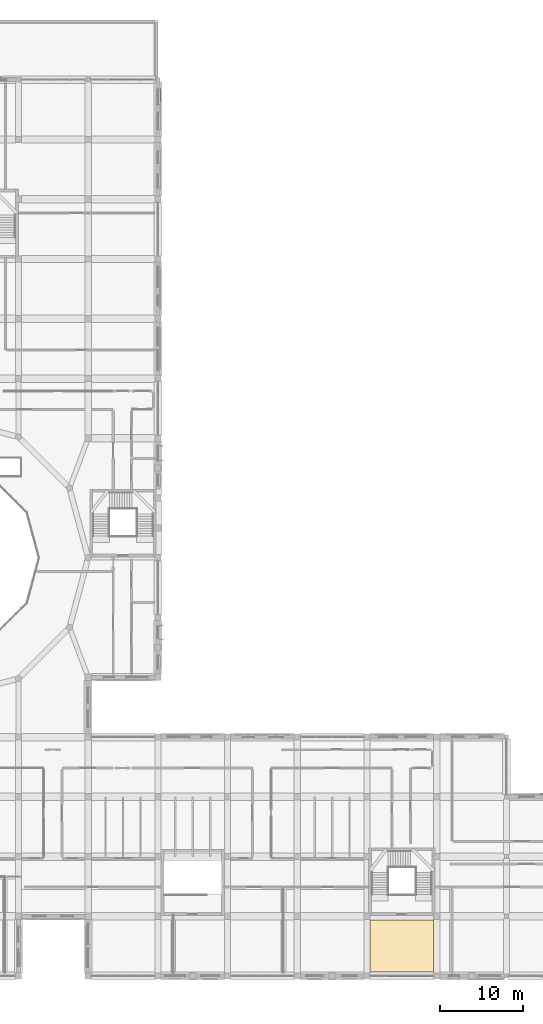
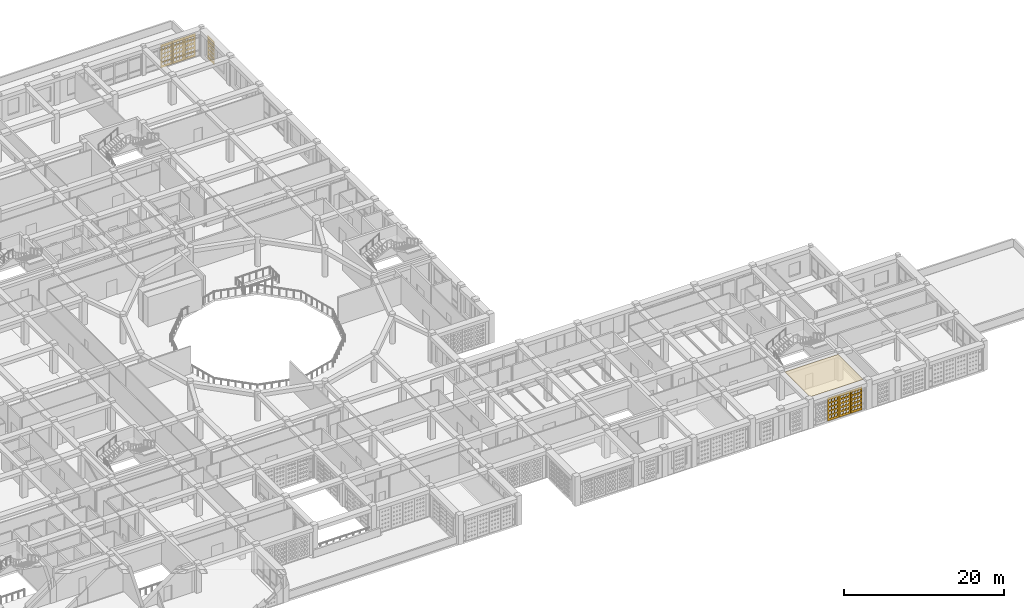
# One storey, part 105 of 111: 8 coverings.
"""IFC4 building model written with IfcOpenShell, lengths in metres."""

from ifc_helpers import new_model, si_unit, derived_unit, direction, frame, origin, place, context, subcontext, project, spatial, polyline, outline, extrude, material, layer, layer_set, type_object, element, save


model = new_model("IFC4")

# Units and contexts
model_context = context("Model", 3, precision=1e-05, world=origin(), true_north=direction((0.0, 1.0)))
body_context = subcontext(model_context, "Body", "Model", "MODEL_VIEW")
ifc_project = project(units=[si_unit("LENGTHUNIT", "METRE"), si_unit("AREAUNIT", "SQUARE_METRE"), si_unit("VOLUMEUNIT", "CUBIC_METRE"), si_unit("PLANEANGLEUNIT", "RADIAN"), si_unit("MASSUNIT", "GRAM", prefix="KILO"), derived_unit("THERMALTRANSMITTANCEUNIT", [(si_unit("POWERUNIT", "WATT"), 1), (si_unit("LENGTHUNIT", "METRE"), -2), (si_unit("THERMODYNAMICTEMPERATUREUNIT", "KELVIN"), -1)])], contexts=[model_context])

# Site, building, storey
site_placement = place(None, origin())
site = spatial("IfcSite", under=ifc_project, at=site_placement, CompositionType="ELEMENT")
building_placement = place(site_placement, origin())
building = spatial("IfcBuilding", under=site, at=building_placement, Name="Veybourne Emporium", CompositionType="ELEMENT")
storey_placement = place(building_placement, frame((0.0, 0.0, 9.89990234375)))
storey = spatial("IfcBuildingStorey", under=building, at=storey_placement, Name="L02", CompositionType="ELEMENT", Elevation=9.89990234375)

# Coverings
ifc_material_1 = material(Name="Mineral Acoustic Ceiling", Category="gypsum")
ifc_layer_1 = layer(ifc_material_1, 0.02490234375)
ifc_layer_set_1 = layer_set([ifc_layer_1], Name="Mineral Acoustic Ceiling")
covering_type_1 = type_object("IfcCoveringType", Name="Ceiling_CLG-01", PredefinedType="CEILING", material=ifc_layer_set_1)
covering_1_placement = place(storey_placement, frame((0.0, 0.0, 4.155029296875)))
element("IfcCovering", 1, at=covering_1_placement, inside=storey, type_object=covering_type_1, Name="L02 coffered acoustic ceiling 06", PredefinedType="CEILING", context=body_context, shape_type="SweptSolid", body=[
    extrude(outline(polyline([(126.375, 6.820068359375), (126.375, 6.751953125), (134.02490234375, 6.751953125), (134.02490234375, 6.820068359375), (134.027099609375, 6.820068359375), (134.027099609375, 0.43994140625), (134.02490234375, 0.43994140625), (134.02490234375, 0.472900390625), (126.375, 0.472900390625), (126.375, 0.43994140625), (126.373046875, 0.43994140625), (126.373046875, 6.820068359375), (126.375, 6.820068359375)])), origin(), (0.0, 0.0, 1.0), 0.025146484375),
])
ifc_material_2 = material(Name="Warm-White Perforated Aluminium Screen Alloy", Category="aluminium")
ifc_layer_2 = layer(ifc_material_2, 0.06005859375)
ifc_layer_set_2 = layer_set([ifc_layer_2], Name="Warm-White Perforated Aluminium Screen Alloy")
covering_type_2 = type_object("IfcCoveringType", Name="WaveScreen_SCR-01", PredefinedType="CLADDING", material=ifc_layer_set_2)
covering_2_placement = place(storey_placement, frame((95.74755859375, 108.093017578125, 1.815185546875), z_axis=(0.0, -1.0, 0.0), x_axis=(1.0, 0.0, 0.0)))
element("IfcCovering", 2, at=covering_2_placement, inside=storey, type_object=covering_type_2, Name="L02 wave-perforated aluminium screen SCR-01 (60C.2)", PredefinedType="CLADDING", context=body_context, shape_type="SweptSolid", body=[
    extrude(outline(polyline([(-0.81982421875, -1.7548828125), (0.81982421875, -1.7548828125), (0.81982421875, 1.7548828125), (-0.81982421875, 1.7548828125), (-0.81982421875, -1.7548828125)]), holes=[polyline([(-0.433349609375, -0.964111328125), (-0.2470703125, -1.133056640625), (-0.2470703125, -1.322998046875), (-0.433349609375, -1.491943359375), (-0.61962890625, -1.322998046875), (-0.61962890625, -1.133056640625), (-0.433349609375, -0.964111328125)]), polyline([(-0.433349609375, -0.35009765625), (-0.2470703125, -0.51904296875), (-0.2470703125, -0.708984375), (-0.433349609375, -0.8779296875), (-0.61962890625, -0.708984375), (-0.61962890625, -0.51904296875), (-0.433349609375, -0.35009765625)]), polyline([(-0.433349609375, 0.259765625), (-0.2470703125, 0.093505859375), (-0.2470703125, -0.093505859375), (-0.433349609375, -0.259765625), (-0.61962890625, -0.093505859375), (-0.61962890625, 0.093505859375), (-0.433349609375, 0.259765625)]), polyline([(-0.433349609375, 0.864501953125), (-0.2470703125, 0.7041015625), (-0.2470703125, 0.523681640625), (-0.433349609375, 0.36328125), (-0.61962890625, 0.523681640625), (-0.61962890625, 0.7041015625), (-0.433349609375, 0.864501953125)]), polyline([(-0.433349609375, 1.4677734375), (-0.2470703125, 1.314208984375), (-0.2470703125, 1.1416015625), (-0.433349609375, 0.98828125), (-0.61962890625, 1.1416015625), (-0.61962890625, 1.314208984375), (-0.433349609375, 1.4677734375)]), polyline([(0.0, -0.964111328125), (0.186279296875, -1.133056640625), (0.186279296875, -1.322998046875), (0.0, -1.491943359375), (-0.186279296875, -1.322998046875), (-0.186279296875, -1.133056640625), (0.0, -0.964111328125)]), polyline([(0.0, -0.35009765625), (0.186279296875, -0.51904296875), (0.186279296875, -0.708984375), (0.0, -0.8779296875), (-0.186279296875, -0.708984375), (-0.186279296875, -0.51904296875), (0.0, -0.35009765625)]), polyline([(0.0, 0.255859375), (0.186279296875, 0.092041015625), (0.186279296875, -0.092041015625), (0.0, -0.255859375), (-0.186279296875, -0.092041015625), (-0.186279296875, 0.092041015625), (0.0, 0.255859375)]), polyline([(0.0, 0.85986328125), (0.186279296875, 0.702392578125), (0.186279296875, 0.525390625), (0.0, 0.3681640625), (-0.186279296875, 0.525390625), (-0.186279296875, 0.702392578125), (0.0, 0.85986328125)]), polyline([(0.0, 1.46240234375), (0.186279296875, 1.312255859375), (0.186279296875, 1.143798828125), (0.0, 0.99365234375), (-0.186279296875, 1.143798828125), (-0.186279296875, 1.312255859375), (0.0, 1.46240234375)]), polyline([(0.433349609375, -0.964111328125), (0.61962890625, -1.133056640625), (0.61962890625, -1.322998046875), (0.433349609375, -1.491943359375), (0.2470703125, -1.322998046875), (0.2470703125, -1.133056640625), (0.433349609375, -0.964111328125)]), polyline([(0.433349609375, -0.353515625), (0.61962890625, -0.520263671875), (0.61962890625, -0.707763671875), (0.433349609375, -0.87451171875), (0.2470703125, -0.707763671875), (0.2470703125, -0.520263671875), (0.433349609375, -0.353515625)]), polyline([(0.433349609375, 0.25146484375), (0.61962890625, 0.090576171875), (0.61962890625, -0.090576171875), (0.433349609375, -0.25146484375), (0.2470703125, -0.090576171875), (0.2470703125, 0.090576171875), (0.433349609375, 0.25146484375)]), polyline([(0.433349609375, 0.854736328125), (0.61962890625, 0.70068359375), (0.61962890625, 0.52734375), (0.433349609375, 0.373291015625), (0.2470703125, 0.52734375), (0.2470703125, 0.70068359375), (0.433349609375, 0.854736328125)]), polyline([(0.433349609375, 1.45654296875), (0.61962890625, 1.310302734375), (0.61962890625, 1.145751953125), (0.433349609375, 0.99951171875), (0.2470703125, 1.145751953125), (0.2470703125, 1.310302734375), (0.433349609375, 1.45654296875)])]), origin(), (0.0, 0.0, 1.0), 0.06005859375),
])
covering_3_placement = place(storey_placement, frame((129.360107421875, -0.096923828125, 1.815185546875), z_axis=(0.0, 1.0, 0.0), x_axis=(-1.0, 0.0, 0.0)))
element("IfcCovering", 3, at=covering_3_placement, inside=storey, type_object=covering_type_2, Name="L02 wave-perforated aluminium screen SCR-01 (67C.3)", PredefinedType="CLADDING", context=body_context, shape_type="SweptSolid", body=[
    extrude(outline(polyline([(-0.81982421875, -1.7548828125), (0.81982421875, -1.7548828125), (0.81982421875, 1.7548828125), (-0.81982421875, 1.7548828125), (-0.81982421875, -1.7548828125)]), holes=[polyline([(-0.433349609375, -0.964111328125), (-0.2470703125, -1.133056640625), (-0.2470703125, -1.322998046875), (-0.433349609375, -1.491943359375), (-0.61962890625, -1.322998046875), (-0.61962890625, -1.133056640625), (-0.433349609375, -0.964111328125)]), polyline([(-0.433349609375, -0.35009765625), (-0.2470703125, -0.51904296875), (-0.2470703125, -0.708984375), (-0.433349609375, -0.8779296875), (-0.61962890625, -0.708984375), (-0.61962890625, -0.51904296875), (-0.433349609375, -0.35009765625)]), polyline([(-0.433349609375, 0.263916015625), (-0.2470703125, 0.094970703125), (-0.2470703125, -0.094970703125), (-0.433349609375, -0.263916015625), (-0.61962890625, -0.094970703125), (-0.61962890625, 0.094970703125), (-0.433349609375, 0.263916015625)]), polyline([(-0.433349609375, 0.8779296875), (-0.2470703125, 0.708984375), (-0.2470703125, 0.51904296875), (-0.433349609375, 0.35009765625), (-0.61962890625, 0.51904296875), (-0.61962890625, 0.708984375), (-0.433349609375, 0.8779296875)]), polyline([(-0.433349609375, 1.491943359375), (-0.2470703125, 1.322998046875), (-0.2470703125, 1.133056640625), (-0.433349609375, 0.964111328125), (-0.61962890625, 1.133056640625), (-0.61962890625, 1.322998046875), (-0.433349609375, 1.491943359375)]), polyline([(0.0, -0.964111328125), (0.186279296875, -1.133056640625), (0.186279296875, -1.322998046875), (0.0, -1.491943359375), (-0.186279296875, -1.322998046875), (-0.186279296875, -1.133056640625), (0.0, -0.964111328125)]), polyline([(0.0, -0.35009765625), (0.186279296875, -0.51904296875), (0.186279296875, -0.708984375), (0.0, -0.8779296875), (-0.186279296875, -0.708984375), (-0.186279296875, -0.51904296875), (0.0, -0.35009765625)]), polyline([(0.0, 0.263916015625), (0.186279296875, 0.094970703125), (0.186279296875, -0.094970703125), (0.0, -0.263916015625), (-0.186279296875, -0.094970703125), (-0.186279296875, 0.094970703125), (0.0, 0.263916015625)]), polyline([(0.0, 0.8779296875), (0.186279296875, 0.708984375), (0.186279296875, 0.51904296875), (0.0, 0.35009765625), (-0.186279296875, 0.51904296875), (-0.186279296875, 0.708984375), (0.0, 0.8779296875)]), polyline([(0.0, 1.491943359375), (0.186279296875, 1.322998046875), (0.186279296875, 1.133056640625), (0.0, 0.964111328125), (-0.186279296875, 1.133056640625), (-0.186279296875, 1.322998046875), (0.0, 1.491943359375)]), polyline([(0.433349609375, -0.96630859375), (0.61962890625, -1.1337890625), (0.61962890625, -1.322265625), (0.433349609375, -1.48974609375), (0.2470703125, -1.322265625), (0.2470703125, -1.1337890625), (0.433349609375, -0.96630859375)]), polyline([(0.433349609375, -0.35009765625), (0.61962890625, -0.51904296875), (0.61962890625, -0.708984375), (0.433349609375, -0.8779296875), (0.2470703125, -0.708984375), (0.2470703125, -0.51904296875), (0.433349609375, -0.35009765625)]), polyline([(0.433349609375, 0.263916015625), (0.61962890625, 0.094970703125), (0.61962890625, -0.094970703125), (0.433349609375, -0.263916015625), (0.2470703125, -0.094970703125), (0.2470703125, 0.094970703125), (0.433349609375, 0.263916015625)]), polyline([(0.433349609375, 0.8779296875), (0.61962890625, 0.708984375), (0.61962890625, 0.51904296875), (0.433349609375, 0.35009765625), (0.2470703125, 0.51904296875), (0.2470703125, 0.708984375), (0.433349609375, 0.8779296875)]), polyline([(0.433349609375, 1.491943359375), (0.61962890625, 1.322998046875), (0.61962890625, 1.133056640625), (0.433349609375, 0.964111328125), (0.2470703125, 1.133056640625), (0.2470703125, 1.322998046875), (0.433349609375, 1.491943359375)])]), origin(), (0.0, 0.0, 1.0), 0.06005859375),
])
ifc_layer_3 = layer(ifc_material_2, 0.06005859375)
ifc_layer_set_3 = layer_set([ifc_layer_3], Name="Warm-White Perforated Aluminium Screen Alloy")
covering_type_3 = type_object("IfcCoveringType", Name="WaveScreen_SCR-02", PredefinedType="CLADDING", material=ifc_layer_set_3)
covering_4_placement = place(storey_placement, frame((97.427490234375, 108.093017578125, 1.815185546875), z_axis=(0.0, -1.0, 0.0), x_axis=(1.0, 0.0, 0.0)))
element("IfcCovering", 4, at=covering_4_placement, inside=storey, type_object=covering_type_3, Name="L02 wave-perforated aluminium screen SCR-02 (60C.3)", PredefinedType="CLADDING", context=body_context, shape_type="SweptSolid", body=[
    extrude(outline(polyline([(-0.81982421875, -1.7548828125), (0.81982421875, -1.7548828125), (0.81982421875, 1.7548828125), (-0.81982421875, 1.7548828125), (-0.81982421875, -1.7548828125)]), holes=[polyline([(-0.433349609375, -0.96630859375), (-0.2470703125, -1.1337890625), (-0.2470703125, -1.322265625), (-0.433349609375, -1.48974609375), (-0.61962890625, -1.322265625), (-0.61962890625, -1.1337890625), (-0.433349609375, -0.96630859375)]), polyline([(-0.433349609375, -0.361083984375), (-0.2470703125, -0.52294921875), (-0.2470703125, -0.705078125), (-0.433349609375, -0.866943359375), (-0.61962890625, -0.705078125), (-0.61962890625, -0.52294921875), (-0.433349609375, -0.361083984375)]), polyline([(-0.433349609375, 0.242431640625), (-0.2470703125, 0.08740234375), (-0.2470703125, -0.08740234375), (-0.433349609375, -0.242431640625), (-0.61962890625, -0.08740234375), (-0.61962890625, 0.08740234375), (-0.433349609375, 0.242431640625)]), polyline([(-0.433349609375, 0.844482421875), (-0.2470703125, 0.697021484375), (-0.2470703125, 0.531005859375), (-0.433349609375, 0.383544921875), (-0.61962890625, 0.531005859375), (-0.61962890625, 0.697021484375), (-0.433349609375, 0.844482421875)]), polyline([(-0.433349609375, 1.4453125), (-0.2470703125, 1.306396484375), (-0.2470703125, 1.149658203125), (-0.433349609375, 1.010498046875), (-0.61962890625, 1.149658203125), (-0.61962890625, 1.306396484375), (-0.433349609375, 1.4453125)]), polyline([(0.0, -0.97021484375), (0.186279296875, -1.135009765625), (0.186279296875, -1.32080078125), (0.0, -1.48583984375), (-0.186279296875, -1.32080078125), (-0.186279296875, -1.135009765625), (0.0, -0.97021484375)]), polyline([(0.0, -0.365478515625), (0.186279296875, -0.524658203125), (0.186279296875, -0.703369140625), (0.0, -0.8623046875), (-0.186279296875, -0.703369140625), (-0.186279296875, -0.524658203125), (0.0, -0.365478515625)]), polyline([(0.0, 0.2373046875), (0.186279296875, 0.08544921875), (0.186279296875, -0.08544921875), (0.0, -0.2373046875), (-0.186279296875, -0.08544921875), (-0.186279296875, 0.08544921875), (0.0, 0.2373046875)]), polyline([(0.0, 0.838623046875), (0.186279296875, 0.69482421875), (0.186279296875, 0.533203125), (0.0, 0.389404296875), (-0.186279296875, 0.533203125), (-0.186279296875, 0.69482421875), (0.0, 0.838623046875)]), polyline([(0.0, 1.439208984375), (0.182861328125, 1.303955078125), (0.182861328125, 1.152099609375), (0.0, 1.016845703125), (-0.182861328125, 1.152099609375), (-0.182861328125, 1.303955078125), (0.0, 1.439208984375)]), polyline([(0.433349609375, -0.97412109375), (0.61962890625, -1.13671875), (0.61962890625, -1.3193359375), (0.433349609375, -1.481689453125), (0.2470703125, -1.3193359375), (0.2470703125, -1.13671875), (0.433349609375, -0.97412109375)]), polyline([(0.433349609375, -0.37060546875), (0.61962890625, -0.5263671875), (0.61962890625, -0.70166015625), (0.433349609375, -0.857421875), (0.2470703125, -0.70166015625), (0.2470703125, -0.5263671875), (0.433349609375, -0.37060546875)]), polyline([(0.433349609375, 0.231689453125), (0.61962890625, 0.08349609375), (0.61962890625, -0.08349609375), (0.433349609375, -0.231689453125), (0.2470703125, -0.08349609375), (0.2470703125, 0.08349609375), (0.433349609375, 0.231689453125)]), polyline([(0.433349609375, 0.83251953125), (0.61962890625, 0.692626953125), (0.61962890625, 0.535400390625), (0.433349609375, 0.3955078125), (0.2470703125, 0.535400390625), (0.2470703125, 0.692626953125), (0.433349609375, 0.83251953125)]), polyline([(0.433349609375, 1.432861328125), (0.61083984375, 1.3017578125), (0.61083984375, 1.154296875), (0.433349609375, 1.023193359375), (0.255615234375, 1.154296875), (0.255615234375, 1.3017578125), (0.433349609375, 1.432861328125)])]), origin(), (0.0, 0.0, 1.0), 0.06005859375),
])
ifc_layer_4 = layer(ifc_material_2, 0.06005859375)
ifc_layer_set_4 = layer_set([ifc_layer_4], Name="Warm-White Perforated Aluminium Screen Alloy")
covering_type_4 = type_object("IfcCoveringType", Name="WaveScreen_SCR-03", PredefinedType="CLADDING", material=ifc_layer_set_4)
covering_5_placement = place(storey_placement, frame((101.09814453125, 106.1298828125, 1.815185546875), z_axis=(-1.0, 0.0, 0.0), x_axis=(0.0, -1.0, 0.0)))
element("IfcCovering", 5, at=covering_5_placement, inside=storey, type_object=covering_type_4, Name="L02 wave-perforated aluminium screen SCR-03 (59.1)", PredefinedType="CLADDING", context=body_context, shape_type="SweptSolid", body=[
    extrude(outline(polyline([(-0.81982421875, -1.7548828125), (0.81982421875, -1.7548828125), (0.81982421875, 1.7548828125), (-0.81982421875, 1.7548828125), (-0.81982421875, -1.7548828125)]), holes=[polyline([(-0.433349609375, -0.99365234375), (-0.2470703125, -1.143798828125), (-0.2470703125, -1.312255859375), (-0.433349609375, -1.46240234375), (-0.61962890625, -1.312255859375), (-0.61962890625, -1.143798828125), (-0.433349609375, -0.99365234375)]), polyline([(-0.433349609375, -0.392578125), (-0.2470703125, -0.5341796875), (-0.2470703125, -0.693603515625), (-0.433349609375, -0.83544921875), (-0.61962890625, -0.693603515625), (-0.61962890625, -0.5341796875), (-0.433349609375, -0.392578125)]), polyline([(-0.433349609375, 0.207763671875), (-0.25341796875, 0.07470703125), (-0.25341796875, -0.07470703125), (-0.433349609375, -0.207763671875), (-0.61328125, -0.07470703125), (-0.61328125, 0.07470703125), (-0.433349609375, 0.207763671875)]), polyline([(-0.433349609375, 0.8076171875), (-0.264892578125, 0.68359375), (-0.264892578125, 0.544189453125), (-0.433349609375, 0.42041015625), (-0.601806640625, 0.544189453125), (-0.601806640625, 0.68359375), (-0.433349609375, 0.8076171875)]), polyline([(-0.433349609375, 1.40771484375), (-0.2763671875, 1.292724609375), (-0.2763671875, 1.163330078125), (-0.433349609375, 1.04833984375), (-0.59033203125, 1.163330078125), (-0.59033203125, 1.292724609375), (-0.433349609375, 1.40771484375)]), polyline([(0.0, -0.98828125), (0.186279296875, -1.1416015625), (0.186279296875, -1.314208984375), (0.0, -1.4677734375), (-0.186279296875, -1.314208984375), (-0.186279296875, -1.1416015625), (0.0, -0.98828125)]), polyline([(0.0, -0.38671875), (0.186279296875, -0.531982421875), (0.186279296875, -0.69580078125), (0.0, -0.84130859375), (-0.186279296875, -0.69580078125), (-0.186279296875, -0.531982421875), (0.0, -0.38671875)]), polyline([(0.0, 0.214111328125), (0.185302734375, 0.0771484375), (0.185302734375, -0.0771484375), (0.0, -0.214111328125), (-0.185302734375, -0.0771484375), (-0.185302734375, 0.0771484375), (0.0, 0.214111328125)]), polyline([(0.0, 0.814208984375), (0.173828125, 0.68603515625), (0.173828125, 0.5419921875), (0.0, 0.413818359375), (-0.173828125, 0.5419921875), (-0.173828125, 0.68603515625), (0.0, 0.814208984375)]), polyline([(0.0, 1.4140625), (0.162109375, 1.294921875), (0.162109375, 1.160888671875), (0.0, 1.0419921875), (-0.162109375, 1.160888671875), (-0.162109375, 1.294921875), (0.0, 1.4140625)]), polyline([(0.433349609375, -0.983154296875), (0.61962890625, -1.139892578125), (0.61962890625, -1.316162109375), (0.433349609375, -1.472900390625), (0.2470703125, -1.316162109375), (0.2470703125, -1.139892578125), (0.433349609375, -0.983154296875)]), polyline([(0.433349609375, -0.380859375), (0.61962890625, -0.530029296875), (0.61962890625, -0.697998046875), (0.433349609375, -0.84716796875), (0.2470703125, -0.697998046875), (0.2470703125, -0.530029296875), (0.433349609375, -0.380859375)]), polyline([(0.433349609375, 0.22021484375), (0.61962890625, 0.079345703125), (0.61962890625, -0.079345703125), (0.433349609375, -0.22021484375), (0.2470703125, -0.079345703125), (0.2470703125, 0.079345703125), (0.433349609375, 0.22021484375)]), polyline([(0.433349609375, 0.820556640625), (0.6123046875, 0.6884765625), (0.6123046875, 0.53955078125), (0.433349609375, 0.407470703125), (0.25439453125, 0.53955078125), (0.25439453125, 0.6884765625), (0.433349609375, 0.820556640625)]), polyline([(0.433349609375, 1.42041015625), (0.600830078125, 1.29736328125), (0.600830078125, 1.15869140625), (0.433349609375, 1.03564453125), (0.265869140625, 1.15869140625), (0.265869140625, 1.29736328125), (0.433349609375, 1.42041015625)])]), origin(), (0.0, 0.0, 1.0), 0.06005859375),
])
covering_6_placement = place(storey_placement, frame((99.107421875, 108.093017578125, 1.815185546875), z_axis=(0.0, -1.0, 0.0), x_axis=(1.0, 0.0, 0.0)))
element("IfcCovering", 6, at=covering_6_placement, inside=storey, type_object=covering_type_4, Name="L02 wave-perforated aluminium screen SCR-03 (60C.4)", PredefinedType="CLADDING", context=body_context, shape_type="SweptSolid", body=[
    extrude(outline(polyline([(-0.81982421875, -1.7548828125), (0.81982421875, -1.7548828125), (0.81982421875, 1.7548828125), (-0.81982421875, 1.7548828125), (-0.81982421875, -1.7548828125)]), holes=[polyline([(-0.433349609375, -0.98291015625), (-0.2470703125, -1.139892578125), (-0.2470703125, -1.316162109375), (-0.433349609375, -1.47314453125), (-0.61962890625, -1.316162109375), (-0.61962890625, -1.139892578125), (-0.433349609375, -0.98291015625)]), polyline([(-0.433349609375, -0.380615234375), (-0.2470703125, -0.52978515625), (-0.2470703125, -0.697998046875), (-0.433349609375, -0.847412109375), (-0.61962890625, -0.697998046875), (-0.61962890625, -0.52978515625), (-0.433349609375, -0.380615234375)]), polyline([(-0.433349609375, 0.220703125), (-0.2470703125, 0.079345703125), (-0.2470703125, -0.079345703125), (-0.433349609375, -0.220703125), (-0.61962890625, -0.079345703125), (-0.61962890625, 0.079345703125), (-0.433349609375, 0.220703125)]), polyline([(-0.433349609375, 0.82080078125), (-0.25390625, 0.6884765625), (-0.25390625, 0.53955078125), (-0.433349609375, 0.406982421875), (-0.612548828125, 0.53955078125), (-0.612548828125, 0.6884765625), (-0.433349609375, 0.82080078125)]), polyline([(-0.433349609375, 1.4208984375), (-0.265625, 1.29736328125), (-0.265625, 1.15869140625), (-0.433349609375, 1.03515625), (-0.60107421875, 1.15869140625), (-0.60107421875, 1.29736328125), (-0.433349609375, 1.4208984375)]), polyline([(0.0, -0.988037109375), (0.186279296875, -1.1416015625), (0.186279296875, -1.314453125), (0.0, -1.468017578125), (-0.186279296875, -1.314453125), (-0.186279296875, -1.1416015625), (0.0, -0.988037109375)]), polyline([(0.0, -0.38623046875), (0.186279296875, -0.531982421875), (0.186279296875, -0.696044921875), (0.0, -0.841796875), (-0.186279296875, -0.696044921875), (-0.186279296875, -0.531982421875), (0.0, -0.38623046875)]), polyline([(0.0, 0.214599609375), (0.185546875, 0.0771484375), (0.185546875, -0.0771484375), (0.0, -0.214599609375), (-0.185546875, -0.0771484375), (-0.185546875, 0.0771484375), (0.0, 0.214599609375)]), polyline([(0.0, 0.814697265625), (0.174072265625, 0.686279296875), (0.174072265625, 0.541748046875), (0.0, 0.413330078125), (-0.174072265625, 0.541748046875), (-0.174072265625, 0.686279296875), (0.0, 0.814697265625)]), polyline([(0.0, 1.414306640625), (0.16259765625, 1.295166015625), (0.16259765625, 1.160888671875), (0.0, 1.04150390625), (-0.16259765625, 1.160888671875), (-0.16259765625, 1.295166015625), (0.0, 1.414306640625)]), polyline([(0.433349609375, -0.993408203125), (0.61962890625, -1.1435546875), (0.61962890625, -1.3125), (0.433349609375, -1.462646484375), (0.2470703125, -1.3125), (0.2470703125, -1.1435546875), (0.433349609375, -0.993408203125)]), polyline([(0.433349609375, -0.39208984375), (0.61962890625, -0.5341796875), (0.61962890625, -0.69384765625), (0.433349609375, -0.8359375), (0.2470703125, -0.69384765625), (0.2470703125, -0.5341796875), (0.433349609375, -0.39208984375)]), polyline([(0.433349609375, 0.208251953125), (0.61376953125, 0.074951171875), (0.61376953125, -0.074951171875), (0.433349609375, -0.208251953125), (0.2529296875, -0.074951171875), (0.2529296875, 0.074951171875), (0.433349609375, 0.208251953125)]), polyline([(0.433349609375, 0.80810546875), (0.602294921875, 0.683837890625), (0.602294921875, 0.544189453125), (0.433349609375, 0.419921875), (0.264404296875, 0.544189453125), (0.264404296875, 0.683837890625), (0.433349609375, 0.80810546875)]), polyline([(0.433349609375, 1.407958984375), (0.590576171875, 1.292724609375), (0.590576171875, 1.1630859375), (0.433349609375, 1.048095703125), (0.276123046875, 1.1630859375), (0.276123046875, 1.292724609375), (0.433349609375, 1.407958984375)])]), origin(), (0.0, 0.0, 1.0), 0.06005859375),
])
covering_7_placement = place(storey_placement, frame((132.719970703125, -0.096923828125, 1.815185546875), z_axis=(0.0, 1.0, 0.0), x_axis=(-1.0, 0.0, 0.0)))
element("IfcCovering", 7, at=covering_7_placement, inside=storey, type_object=covering_type_4, Name="L02 wave-perforated aluminium screen SCR-03 (67C.1)", PredefinedType="CLADDING", context=body_context, shape_type="SweptSolid", body=[
    extrude(outline(polyline([(-0.81982421875, -1.7548828125), (0.81982421875, -1.7548828125), (0.81982421875, 1.7548828125), (-0.81982421875, 1.7548828125), (-0.81982421875, -1.7548828125)]), holes=[polyline([(-0.433349609375, -0.964111328125), (-0.2470703125, -1.133056640625), (-0.2470703125, -1.322998046875), (-0.433349609375, -1.491943359375), (-0.61962890625, -1.322998046875), (-0.61962890625, -1.133056640625), (-0.433349609375, -0.964111328125)]), polyline([(-0.433349609375, -0.35009765625), (-0.2470703125, -0.51904296875), (-0.2470703125, -0.708984375), (-0.433349609375, -0.8779296875), (-0.61962890625, -0.708984375), (-0.61962890625, -0.51904296875), (-0.433349609375, -0.35009765625)]), polyline([(-0.433349609375, 0.263671875), (-0.2470703125, 0.094970703125), (-0.2470703125, -0.094970703125), (-0.433349609375, -0.263671875), (-0.61962890625, -0.094970703125), (-0.61962890625, 0.094970703125), (-0.433349609375, 0.263671875)]), polyline([(-0.433349609375, 0.869384765625), (-0.2470703125, 0.705810546875), (-0.2470703125, 0.522216796875), (-0.433349609375, 0.358642578125), (-0.61962890625, 0.522216796875), (-0.61962890625, 0.705810546875), (-0.433349609375, 0.869384765625)]), polyline([(-0.433349609375, 1.473388671875), (-0.2470703125, 1.31640625), (-0.2470703125, 1.1396484375), (-0.433349609375, 0.982666015625), (-0.61962890625, 1.1396484375), (-0.61962890625, 1.31640625), (-0.433349609375, 1.473388671875)]), polyline([(0.0, -0.964111328125), (0.186279296875, -1.133056640625), (0.186279296875, -1.322998046875), (0.0, -1.491943359375), (-0.186279296875, -1.322998046875), (-0.186279296875, -1.133056640625), (0.0, -0.964111328125)]), polyline([(0.0, -0.35009765625), (0.186279296875, -0.51904296875), (0.186279296875, -0.708984375), (0.0, -0.8779296875), (-0.186279296875, -0.708984375), (-0.186279296875, -0.51904296875), (0.0, -0.35009765625)]), polyline([(0.0, 0.263916015625), (0.186279296875, 0.094970703125), (0.186279296875, -0.094970703125), (0.0, -0.263916015625), (-0.186279296875, -0.094970703125), (-0.186279296875, 0.094970703125), (0.0, 0.263916015625)]), polyline([(0.0, 0.873291015625), (0.186279296875, 0.70751953125), (0.186279296875, 0.5205078125), (0.0, 0.3544921875), (-0.186279296875, 0.5205078125), (-0.186279296875, 0.70751953125), (0.0, 0.873291015625)]), polyline([(0.0, 1.47802734375), (0.186279296875, 1.318115234375), (0.186279296875, 1.137939453125), (0.0, 0.977783203125), (-0.186279296875, 1.137939453125), (-0.186279296875, 1.318115234375), (0.0, 1.47802734375)]), polyline([(0.433349609375, -0.964111328125), (0.61962890625, -1.133056640625), (0.61962890625, -1.322998046875), (0.433349609375, -1.491943359375), (0.2470703125, -1.322998046875), (0.2470703125, -1.133056640625), (0.433349609375, -0.964111328125)]), polyline([(0.433349609375, -0.35009765625), (0.61962890625, -0.51904296875), (0.61962890625, -0.708984375), (0.433349609375, -0.8779296875), (0.2470703125, -0.708984375), (0.2470703125, -0.51904296875), (0.433349609375, -0.35009765625)]), polyline([(0.433349609375, 0.263916015625), (0.61962890625, 0.094970703125), (0.61962890625, -0.094970703125), (0.433349609375, -0.263916015625), (0.2470703125, -0.094970703125), (0.2470703125, 0.094970703125), (0.433349609375, 0.263916015625)]), polyline([(0.433349609375, 0.876953125), (0.61962890625, 0.70849609375), (0.61962890625, 0.519287109375), (0.433349609375, 0.35107421875), (0.2470703125, 0.519287109375), (0.2470703125, 0.70849609375), (0.433349609375, 0.876953125)]), polyline([(0.433349609375, 1.482421875), (0.61962890625, 1.319580078125), (0.61962890625, 1.136474609375), (0.433349609375, 0.973388671875), (0.2470703125, 1.136474609375), (0.2470703125, 1.319580078125), (0.433349609375, 1.482421875)])]), origin(), (0.0, 0.0, 1.0), 0.06005859375),
])
ifc_layer_5 = layer(ifc_material_2, 0.06005859375)
ifc_layer_set_5 = layer_set([ifc_layer_5], Name="Warm-White Perforated Aluminium Screen Alloy")
covering_type_5 = type_object("IfcCoveringType", Name="WaveScreen_SCR-04", PredefinedType="CLADDING", material=ifc_layer_set_5)
covering_8_placement = place(storey_placement, frame((131.0400390625, -0.096923828125, 1.815185546875), z_axis=(0.0, 1.0, 0.0), x_axis=(-1.0, 0.0, 0.0)))
element("IfcCovering", 8, at=covering_8_placement, inside=storey, type_object=covering_type_5, Name="L02 wave-perforated aluminium screen SCR-04 (67C.2)", PredefinedType="CLADDING", context=body_context, shape_type="SweptSolid", body=[
    extrude(outline(polyline([(-0.81982421875, -1.7548828125), (0.81982421875, -1.7548828125), (0.81982421875, 1.7548828125), (-0.81982421875, 1.7548828125), (-0.81982421875, -1.7548828125)]), holes=[polyline([(-0.433349609375, -0.964111328125), (-0.2470703125, -1.133056640625), (-0.2470703125, -1.322998046875), (-0.433349609375, -1.491943359375), (-0.61962890625, -1.322998046875), (-0.61962890625, -1.133056640625), (-0.433349609375, -0.964111328125)]), polyline([(-0.433349609375, -0.35009765625), (-0.2470703125, -0.51904296875), (-0.2470703125, -0.708984375), (-0.433349609375, -0.8779296875), (-0.61962890625, -0.708984375), (-0.61962890625, -0.51904296875), (-0.433349609375, -0.35009765625)]), polyline([(-0.433349609375, 0.263916015625), (-0.2470703125, 0.094970703125), (-0.2470703125, -0.094970703125), (-0.433349609375, -0.263916015625), (-0.61962890625, -0.094970703125), (-0.61962890625, 0.094970703125), (-0.433349609375, 0.263916015625)]), polyline([(-0.433349609375, 0.8779296875), (-0.2470703125, 0.708984375), (-0.2470703125, 0.51904296875), (-0.433349609375, 0.35009765625), (-0.61962890625, 0.51904296875), (-0.61962890625, 0.708984375), (-0.433349609375, 0.8779296875)]), polyline([(-0.433349609375, 1.48974609375), (-0.2470703125, 1.322265625), (-0.2470703125, 1.1337890625), (-0.433349609375, 0.96630859375), (-0.61962890625, 1.1337890625), (-0.61962890625, 1.322265625), (-0.433349609375, 1.48974609375)]), polyline([(0.0, -0.964111328125), (0.186279296875, -1.133056640625), (0.186279296875, -1.322998046875), (0.0, -1.491943359375), (-0.186279296875, -1.322998046875), (-0.186279296875, -1.133056640625), (0.0, -0.964111328125)]), polyline([(0.0, -0.35009765625), (0.186279296875, -0.51904296875), (0.186279296875, -0.708984375), (0.0, -0.8779296875), (-0.186279296875, -0.708984375), (-0.186279296875, -0.51904296875), (0.0, -0.35009765625)]), polyline([(0.0, 0.263916015625), (0.186279296875, 0.094970703125), (0.186279296875, -0.094970703125), (0.0, -0.263916015625), (-0.186279296875, -0.094970703125), (-0.186279296875, 0.094970703125), (0.0, 0.263916015625)]), polyline([(0.0, 0.8779296875), (0.186279296875, 0.708984375), (0.186279296875, 0.51904296875), (0.0, 0.35009765625), (-0.186279296875, 0.51904296875), (-0.186279296875, 0.708984375), (0.0, 0.8779296875)]), polyline([(0.0, 1.491943359375), (0.186279296875, 1.322998046875), (0.186279296875, 1.133056640625), (0.0, 0.964111328125), (-0.186279296875, 1.133056640625), (-0.186279296875, 1.322998046875), (0.0, 1.491943359375)]), polyline([(0.433349609375, -0.964111328125), (0.61962890625, -1.133056640625), (0.61962890625, -1.322998046875), (0.433349609375, -1.491943359375), (0.2470703125, -1.322998046875), (0.2470703125, -1.133056640625), (0.433349609375, -0.964111328125)]), polyline([(0.433349609375, -0.35009765625), (0.61962890625, -0.51904296875), (0.61962890625, -0.708984375), (0.433349609375, -0.8779296875), (0.2470703125, -0.708984375), (0.2470703125, -0.51904296875), (0.433349609375, -0.35009765625)]), polyline([(0.433349609375, 0.263916015625), (0.61962890625, 0.094970703125), (0.61962890625, -0.094970703125), (0.433349609375, -0.263916015625), (0.2470703125, -0.094970703125), (0.2470703125, 0.094970703125), (0.433349609375, 0.263916015625)]), polyline([(0.433349609375, 0.8779296875), (0.61962890625, 0.708984375), (0.61962890625, 0.51904296875), (0.433349609375, 0.35009765625), (0.2470703125, 0.51904296875), (0.2470703125, 0.708984375), (0.433349609375, 0.8779296875)]), polyline([(0.433349609375, 1.491943359375), (0.61962890625, 1.322998046875), (0.61962890625, 1.133056640625), (0.433349609375, 0.964111328125), (0.2470703125, 1.133056640625), (0.2470703125, 1.322998046875), (0.433349609375, 1.491943359375)])]), origin(), (0.0, 0.0, 1.0), 0.06005859375),
])

save(model, "model.ifc")
